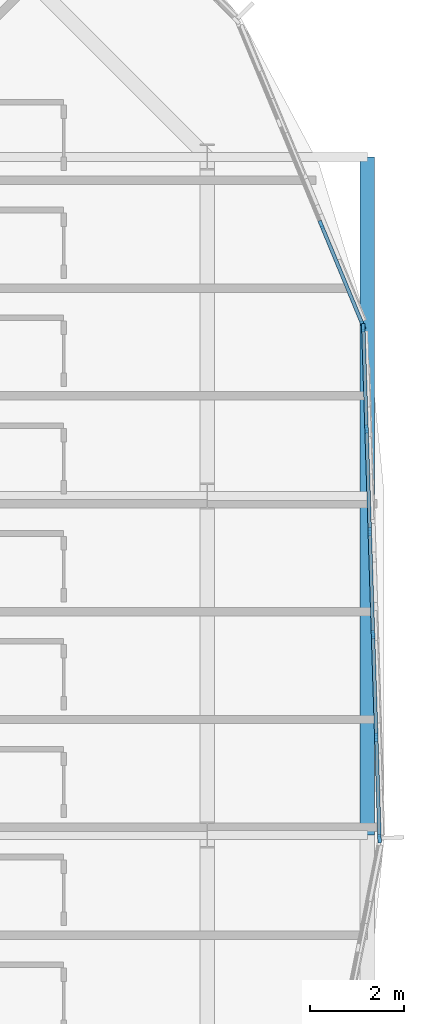
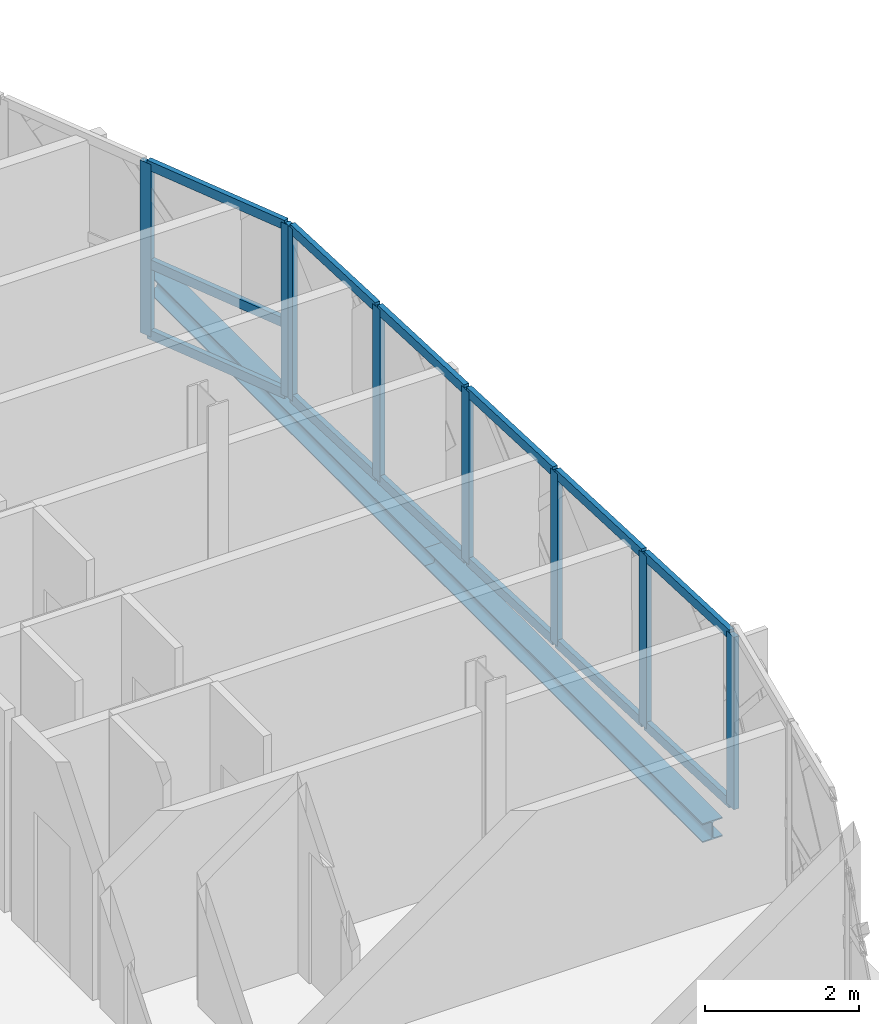
# One storey, part 10 of 50: 21 members, 2 beams, 2 elements without a shape of their own.
"""IFC4 building model written with IfcOpenShell, lengths in metres."""

from ifc_helpers import new_model, si_unit, direction, frame, origin, origin_2d, place, context, subcontext, project, spatial, rectangle, i_section, extrude, material, layer, layer_set, material_profile, profile_set, type_object, element, aggregate, save


model = new_model("IFC4")

# Units and contexts
model_context = context("Model", 3, precision=1e-05, world=origin(), true_north=direction((0.0, 1.0)))
body_context = subcontext(model_context, "Body", "Model", "MODEL_VIEW")
ifc_project = project(units=[si_unit("LENGTHUNIT", "METRE"), si_unit("AREAUNIT", "SQUARE_METRE"), si_unit("VOLUMEUNIT", "CUBIC_METRE"), si_unit("PLANEANGLEUNIT", "RADIAN"), si_unit("MASSUNIT", "GRAM", prefix="KILO")], contexts=[model_context])

# Site, building, storey
site_placement = place(None, origin())
site = spatial("IfcSite", under=ifc_project, at=site_placement, CompositionType="ELEMENT")
building_placement = place(site_placement, origin())
building = spatial("IfcBuilding", under=site, at=building_placement, Name="Zevrakil Square Congress Hotel", CompositionType="ELEMENT")
storey_placement = place(building_placement, frame((0.0, 0.0, 21.5)))
storey = spatial("IfcBuildingStorey", under=building, at=storey_placement, Name="L06", CompositionType="ELEMENT", Elevation=21.5)

# Curtain wall, members
ifc_material_1 = material(Name="Aluminium Anodised Bronze", Category="aluminium")
ifc_layer_1 = layer(ifc_material_1, 0.179931640625)
ifc_layer_set_1 = layer_set([ifc_layer_1], Name="Aluminium Anodised Bronze")
curtain_wall_type_1 = type_object("IfcCurtainWallType", Name="CW-L06-900", PredefinedType="USERDEFINED", material=ifc_layer_set_1)
curtain_wall_1_placement = place(storey_placement, origin())
curtain_wall_1 = element("IfcCurtainWall", 1, at=curtain_wall_1_placement, inside=storey, type_object=curtain_wall_type_1, Name="L06 diamond curtain wall CW-L06-0205", ObjectType="GLAZED CURTAIN WALL", PredefinedType="USERDEFINED")
ifc_material_2 = material(Name="Aluminium Anodised Bronze", Category="aluminium")
ifc_material_profile_1 = material_profile(ifc_material_2, rectangle(XDim=0.074951171875, YDim=0.14990234375, at=origin_2d()), Name="ALU 75x150")
ifc_profile_set_1 = profile_set([ifc_material_profile_1], Name="Aluminium Anodised Bronze")
member_type_1 = type_object("IfcMemberType", Name="CWM-ALU75x150", PredefinedType="USERDEFINED", material=ifc_profile_set_1)
member_1_placement = place(storey_placement, frame((166.858154296875, 23.955078125, 0.030029296875), z_axis=(-0.031602454823, 0.999500517683, 0.0), x_axis=(-0.999500517683, -0.031602454823, 0.0)))
member_1 = element("IfcMember", 2, at=member_1_placement, type_object=member_type_1, Name="CW-72 transom 1.1", ObjectType="TRANSOM", PredefinedType="USERDEFINED", context=body_context, shape_type="SweptSolid", body=[
    extrude(rectangle(XDim=0.074951171875, YDim=0.14990234375, at=origin_2d()), origin(), (0.0, 0.0, 1.0), 2.093505859375),
])
member_2_placement = place(storey_placement, frame((166.858154296875, 23.955078125, 2.699951171875), z_axis=(-0.031602454823, 0.999500517683, 0.0), x_axis=(-0.999500517683, -0.031602454823, 0.0)))
member_2 = element("IfcMember", 3, at=member_2_placement, type_object=member_type_1, Name="CW-72 transom 1.2", ObjectType="TRANSOM", PredefinedType="USERDEFINED", context=body_context, shape_type="SweptSolid", body=[
    extrude(rectangle(XDim=0.074951171875, YDim=0.14990234375, at=origin_2d()), origin(), (0.0, 0.0, 1.0), 2.093505859375),
])
member_3_placement = place(storey_placement, frame((166.7900390625, 26.107666015625, 0.030029296875), z_axis=(-0.031615198015, 0.999500114685, 0.0), x_axis=(-0.999500114685, -0.031615198015, 0.0)))
member_3 = element("IfcMember", 4, at=member_3_placement, type_object=member_type_1, Name="CW-72 transom 2.1", ObjectType="TRANSOM", PredefinedType="USERDEFINED", context=body_context, shape_type="SweptSolid", body=[
    extrude(rectangle(XDim=0.074951171875, YDim=0.14990234375, at=origin_2d()), origin(), (0.0, 0.0, 1.0), 2.12353515625),
])
member_4_placement = place(storey_placement, frame((166.7900390625, 26.107666015625, 2.699951171875), z_axis=(-0.031615198015, 0.999500114685, 0.0), x_axis=(-0.999500114685, -0.031615198015, 0.0)))
member_4 = element("IfcMember", 5, at=member_4_placement, type_object=member_type_1, Name="CW-72 transom 2.2", ObjectType="TRANSOM", PredefinedType="USERDEFINED", context=body_context, shape_type="SweptSolid", body=[
    extrude(rectangle(XDim=0.074951171875, YDim=0.14990234375, at=origin_2d()), origin(), (0.0, 0.0, 1.0), 2.12353515625),
])
member_5_placement = place(storey_placement, frame((166.720947265625, 28.2900390625, 0.030029296875), z_axis=(-0.031500347942, 0.999503740903, 0.0), x_axis=(-0.999503740903, -0.031500347942, 0.0)))
member_5 = element("IfcMember", 6, at=member_5_placement, type_object=member_type_1, Name="CW-72 transom 3.1", ObjectType="TRANSOM", PredefinedType="USERDEFINED", context=body_context, shape_type="SweptSolid", body=[
    extrude(rectangle(XDim=0.074951171875, YDim=0.14990234375, at=origin_2d()), origin(), (0.0, 0.0, 1.0), 2.12353515625),
])
member_6_placement = place(storey_placement, frame((166.720947265625, 28.2900390625, 2.699951171875), z_axis=(-0.031500347942, 0.999503740903, 0.0), x_axis=(-0.999503740903, -0.031500347942, 0.0)))
member_6 = element("IfcMember", 7, at=member_6_placement, type_object=member_type_1, Name="CW-72 transom 3.2", ObjectType="TRANSOM", PredefinedType="USERDEFINED", context=body_context, shape_type="SweptSolid", body=[
    extrude(rectangle(XDim=0.074951171875, YDim=0.14990234375, at=origin_2d()), origin(), (0.0, 0.0, 1.0), 2.12353515625),
])
member_7_placement = place(storey_placement, frame((166.652099609375, 30.47265625, 0.030029296875), z_axis=(-0.031615198015, 0.999500114685, 0.0), x_axis=(-0.999500114685, -0.031615198015, 0.0)))
member_7 = element("IfcMember", 8, at=member_7_placement, type_object=member_type_1, Name="CW-72 transom 4.1", ObjectType="TRANSOM", PredefinedType="USERDEFINED", context=body_context, shape_type="SweptSolid", body=[
    extrude(rectangle(XDim=0.074951171875, YDim=0.14990234375, at=origin_2d()), origin(), (0.0, 0.0, 1.0), 2.12353515625),
])
member_8_placement = place(storey_placement, frame((166.652099609375, 30.47265625, 2.699951171875), z_axis=(-0.031615198015, 0.999500114685, 0.0), x_axis=(-0.999500114685, -0.031615198015, 0.0)))
member_8 = element("IfcMember", 9, at=member_8_placement, type_object=member_type_1, Name="CW-72 transom 4.2", ObjectType="TRANSOM", PredefinedType="USERDEFINED", context=body_context, shape_type="SweptSolid", body=[
    extrude(rectangle(XDim=0.074951171875, YDim=0.14990234375, at=origin_2d()), origin(), (0.0, 0.0, 1.0), 2.12353515625),
])
member_9_placement = place(storey_placement, frame((166.5830078125, 32.6552734375, 0.030029296875), z_axis=(-0.031602454823, 0.999500517683, 0.0), x_axis=(-0.999500517683, -0.031602454823, 0.0)))
member_9 = element("IfcMember", 10, at=member_9_placement, type_object=member_type_1, Name="CW-72 transom 5.1", ObjectType="TRANSOM", PredefinedType="USERDEFINED", context=body_context, shape_type="SweptSolid", body=[
    extrude(rectangle(XDim=0.074951171875, YDim=0.14990234375, at=origin_2d()), origin(), (0.0, 0.0, 1.0), 2.093505859375),
])
member_10_placement = place(storey_placement, frame((166.5830078125, 32.6552734375, 2.699951171875), z_axis=(-0.031602454823, 0.999500517683, 0.0), x_axis=(-0.999500517683, -0.031602454823, 0.0)))
member_10 = element("IfcMember", 11, at=member_10_placement, type_object=member_type_1, Name="CW-72 transom 5.2", ObjectType="TRANSOM", PredefinedType="USERDEFINED", context=body_context, shape_type="SweptSolid", body=[
    extrude(rectangle(XDim=0.074951171875, YDim=0.14990234375, at=origin_2d()), origin(), (0.0, 0.0, 1.0), 2.093505859375),
])

ifc_material_3 = material(Name="Aluminium Anodised Bronze", Category="aluminium")
ifc_layer_2 = layer(ifc_material_3, 0.179931640625)
ifc_layer_set_2 = layer_set([ifc_layer_2], Name="Aluminium Anodised Bronze")
curtain_wall_type_2 = type_object("IfcCurtainWallType", Name="CW-L06-720", PredefinedType="USERDEFINED", material=ifc_layer_set_2)
curtain_wall_2_placement = place(storey_placement, origin())
curtain_wall_2 = element("IfcCurtainWall", 12, at=curtain_wall_2_placement, inside=storey, type_object=curtain_wall_type_2, Name="L06 diamond curtain wall CW-L06-0206", ObjectType="GLAZED CURTAIN WALL", PredefinedType="USERDEFINED")
member_11_placement = place(storey_placement, frame((166.491943359375, 34.86328125, 0.030029296875), z_axis=(-0.382668727465, 0.923885623343, 0.0), x_axis=(-0.923885623343, -0.382668727465, 0.0)))
member_11 = element("IfcMember", 13, at=member_11_placement, type_object=member_type_1, Name="CW-70 transom 1.1", ObjectType="TRANSOM", PredefinedType="USERDEFINED", context=body_context, shape_type="SweptSolid", body=[
    extrude(rectangle(XDim=0.074951171875, YDim=0.14990234375, at=origin_2d()), origin(), (0.0, 0.0, 1.0), 2.2451171875),
])
member_12_placement = place(storey_placement, frame((166.491943359375, 34.86328125, 1.146484375), z_axis=(-0.382668727465, 0.923885623343, 0.0), x_axis=(-0.923885623343, -0.382668727465, 0.0)))
member_12 = element("IfcMember", 14, at=member_12_placement, type_object=member_type_1, Name="CW-70 transom 1.2", ObjectType="TRANSOM", PredefinedType="USERDEFINED", context=body_context, shape_type="SweptSolid", body=[
    extrude(rectangle(XDim=0.074951171875, YDim=0.14990234375, at=origin_2d()), origin(), (0.0, 0.0, 1.0), 2.2451171875),
])
member_13_placement = place(storey_placement, frame((166.491943359375, 34.86328125, 2.699951171875), z_axis=(-0.382668727465, 0.923885623343, 0.0), x_axis=(-0.923885623343, -0.382668727465, 0.0)))
member_13 = element("IfcMember", 15, at=member_13_placement, type_object=member_type_1, Name="CW-70 transom 1.3", ObjectType="TRANSOM", PredefinedType="USERDEFINED", context=body_context, shape_type="SweptSolid", body=[
    extrude(rectangle(XDim=0.074951171875, YDim=0.14990234375, at=origin_2d()), origin(), (0.0, 0.0, 1.0), 2.2451171875),
])

# Member
ifc_material_4 = material(Name="Aluminium Anodised Bronze", Category="aluminium")
ifc_material_profile_2 = material_profile(ifc_material_4, rectangle(XDim=0.074951171875, YDim=0.179931640625, at=origin_2d()), Name="ALU 75x180")
ifc_profile_set_2 = profile_set([ifc_material_profile_2], Name="Aluminium Anodised Bronze")
member_type_2 = type_object("IfcMemberType", Name="CWM-ALU75x180", PredefinedType="MULLION", material=ifc_profile_set_2)
member_14_placement = place(storey_placement, frame((166.859130859375, 23.925048828125, 0.0), z_axis=(0.0, 0.0, 1.0), x_axis=(-0.999500643846, -0.031598464383, 0.0)))
member_14 = element("IfcMember", 16, at=member_14_placement, type_object=member_type_2, Name="CW-72 mullion 1", PredefinedType="MULLION", context=body_context, shape_type="SweptSolid", body=[
    extrude(rectangle(XDim=0.074951171875, YDim=0.179931640625, at=origin_2d()), origin(), (0.0, 0.0, 1.0), 2.72998046875),
])

member_15_placement = place(storey_placement, frame((166.791015625, 26.07763671875, 0.0), z_axis=(0.0, 0.0, 1.0), x_axis=(-0.999500643846, -0.031598464383, 0.0)))
member_15 = element("IfcMember", 17, at=member_15_placement, type_object=member_type_2, Name="CW-72 mullion 2", PredefinedType="MULLION", context=body_context, shape_type="SweptSolid", body=[
    extrude(rectangle(XDim=0.074951171875, YDim=0.179931640625, at=origin_2d()), origin(), (0.0, 0.0, 1.0), 2.72998046875),
])

member_16_placement = place(storey_placement, frame((166.721923828125, 28.260009765625, 0.0), z_axis=(0.0, 0.0, 1.0), x_axis=(-0.999500643846, -0.031598464383, 0.0)))
member_16 = element("IfcMember", 18, at=member_16_placement, type_object=member_type_2, Name="CW-72 mullion 3", PredefinedType="MULLION", context=body_context, shape_type="SweptSolid", body=[
    extrude(rectangle(XDim=0.074951171875, YDim=0.179931640625, at=origin_2d()), origin(), (0.0, 0.0, 1.0), 2.72998046875),
])

member_17_placement = place(storey_placement, frame((166.653076171875, 30.442626953125, 0.0), z_axis=(0.0, 0.0, 1.0), x_axis=(-0.999500643846, -0.031598464383, 0.0)))
member_17 = element("IfcMember", 19, at=member_17_placement, type_object=member_type_2, Name="CW-72 mullion 4", PredefinedType="MULLION", context=body_context, shape_type="SweptSolid", body=[
    extrude(rectangle(XDim=0.074951171875, YDim=0.179931640625, at=origin_2d()), origin(), (0.0, 0.0, 1.0), 2.72998046875),
])

member_18_placement = place(storey_placement, frame((166.583984375, 32.625244140625, 0.0), z_axis=(0.0, 0.0, 1.0), x_axis=(-0.999500643846, -0.031598464383, 0.0)))
member_18 = element("IfcMember", 20, at=member_18_placement, type_object=member_type_2, Name="CW-72 mullion 5", PredefinedType="MULLION", context=body_context, shape_type="SweptSolid", body=[
    extrude(rectangle(XDim=0.074951171875, YDim=0.179931640625, at=origin_2d()), origin(), (0.0, 0.0, 1.0), 2.72998046875),
])

member_19_placement = place(storey_placement, frame((166.515869140625, 34.77783203125, 0.0), z_axis=(0.0, 0.0, 1.0), x_axis=(-0.999500643846, -0.031598464383, 0.0)))
member_19 = element("IfcMember", 21, at=member_19_placement, type_object=member_type_2, Name="CW-72 mullion 6", PredefinedType="MULLION", context=body_context, shape_type="SweptSolid", body=[
    extrude(rectangle(XDim=0.074951171875, YDim=0.179931640625, at=origin_2d()), origin(), (0.0, 0.0, 1.0), 2.72998046875),
])

aggregate(curtain_wall_1, [member_14, member_15, member_16, member_17, member_18, member_19, member_1, member_2, member_3, member_4, member_5, member_6, member_7, member_8, member_9, member_10])

member_20_placement = place(storey_placement, frame((166.50341796875, 34.83544921875, 0.0), z_axis=(0.0, 0.0, 1.0), x_axis=(-0.92387939537, -0.382683763454, 0.0)))
member_20 = element("IfcMember", 22, at=member_20_placement, type_object=member_type_2, Name="CW-70 mullion 1", PredefinedType="MULLION", context=body_context, shape_type="SweptSolid", body=[
    extrude(rectangle(XDim=0.074951171875, YDim=0.179931640625, at=origin_2d()), origin(), (0.0, 0.0, 1.0), 2.72998046875),
])

member_21_placement = place(storey_placement, frame((165.621337890625, 36.96533203125, 0.0), z_axis=(0.0, 0.0, 1.0), x_axis=(-0.92387939537, -0.382683763454, 0.0)))
member_21 = element("IfcMember", 23, at=member_21_placement, type_object=member_type_2, Name="CW-70 mullion 2", PredefinedType="MULLION", context=body_context, shape_type="SweptSolid", body=[
    extrude(rectangle(XDim=0.074951171875, YDim=0.179931640625, at=origin_2d()), origin(), (0.0, 0.0, 1.0), 2.72998046875),
])

aggregate(curtain_wall_2, [member_20, member_21, member_11, member_12, member_13])

# Beams
ifc_material_5 = material(Name="Steel S355", Category="steel")
ifc_material_profile_3 = material_profile(ifc_material_5, i_section(OverallWidth=0.300048828125, OverallDepth=0.300048828125, WebThickness=0.010986328125, FlangeThickness=0.01904296875, FilletRadius=0.027099609375, at=origin_2d()), Name="HEB 300")
ifc_profile_set_3 = profile_set([ifc_material_profile_3], Name="Steel S355")
beam_type = type_object("IfcBeamType", Name="SPD-RHS250", PredefinedType="SPANDREL", material=ifc_profile_set_3)
for number, where, z_axis, x_axis, name in (
    (24, (166.60009765625, 24.0, -0.340087890625), (0.0, 1.0, 0.0), (-1.0, 0.0, 0.0), "L06 drum edge spandrel beam DSP-05"),
    (25, (166.60009765625, 31.199951171875, -0.340087890625), (0.0, 1.0, 0.0), (-1.0, 0.0, 0.0), "L06 drum edge spandrel beam DSP-06"),
):
    element("IfcBeam", number, at=place(storey_placement, frame(where, z_axis=z_axis, x_axis=x_axis)), inside=storey, type_object=beam_type, Name=name, PredefinedType="SPANDREL", context=body_context, shape_type="SweptSolid", body=[
        extrude(i_section(OverallWidth=0.300048828125, OverallDepth=0.300048828125, WebThickness=0.010986328125, FlangeThickness=0.01904296875, FilletRadius=0.027099609375, at=origin_2d()), origin(), (0.0, 0.0, 1.0), 7.199951171875),
    ])

save(model, "model.ifc")
